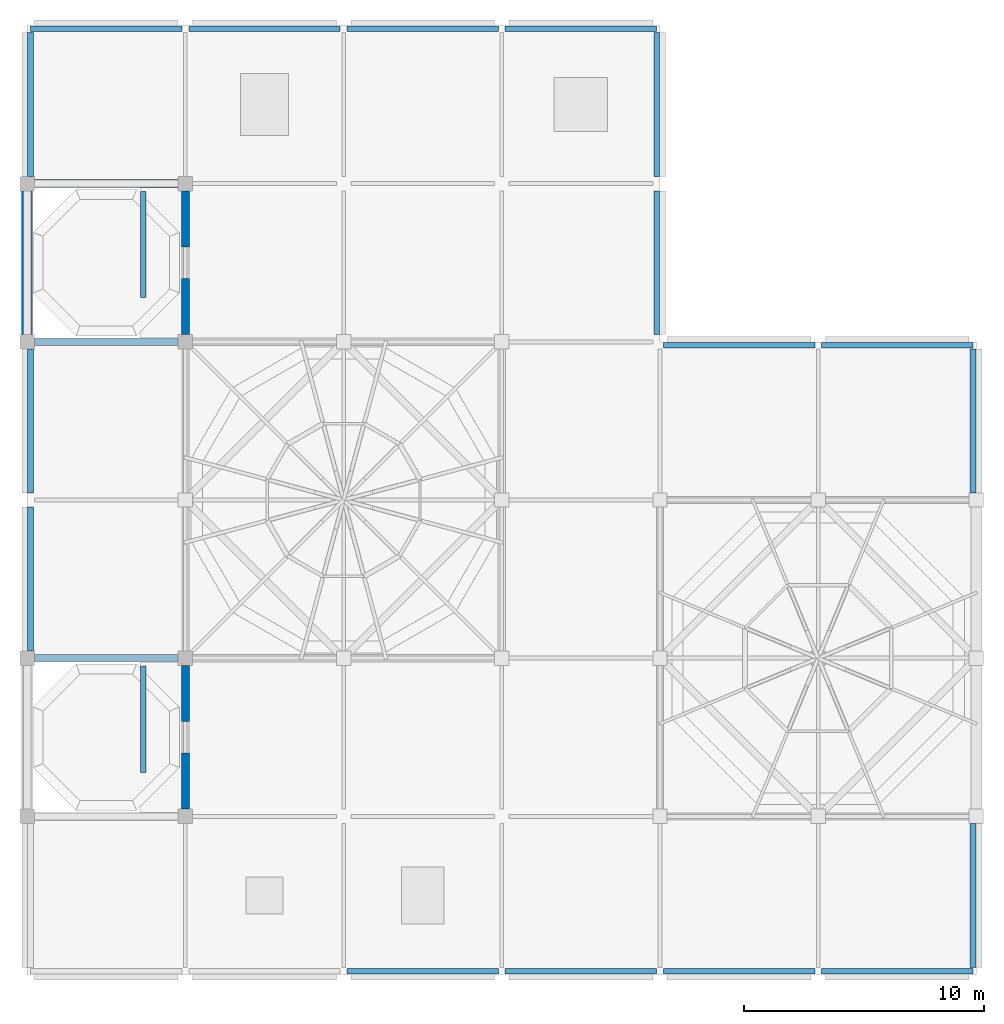
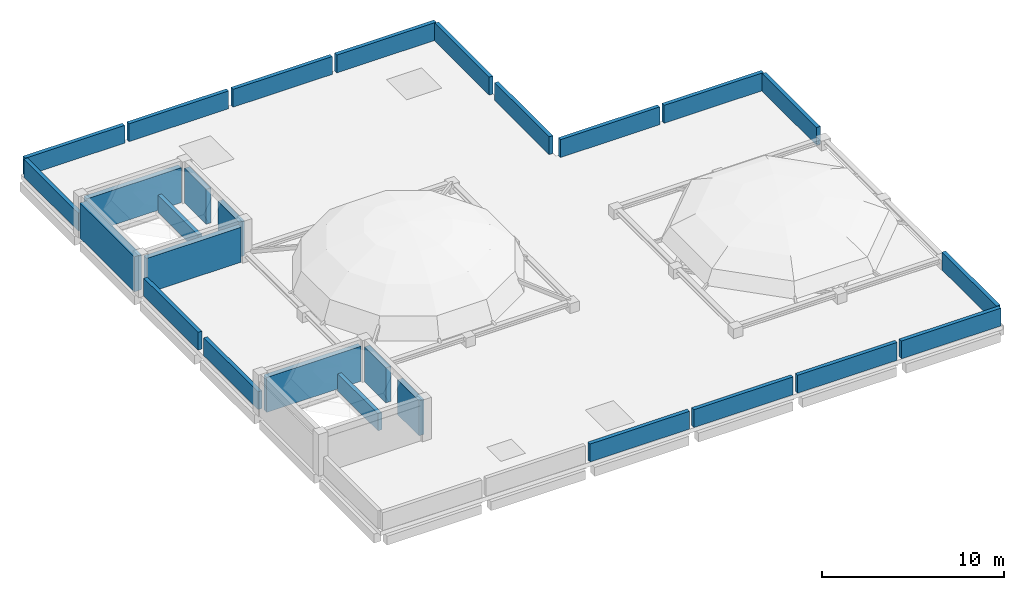
# One storey, part 4 of 5: 27 walls.
"""IFC4 building model written with IfcOpenShell, lengths in metres."""

from ifc_helpers import new_model, si_unit, direction, frame, frame_2d, origin, place, context, subcontext, project, spatial, rectangle, extrude, material, layer, layer_set, type_object, element, save


model = new_model("IFC4")

# Units and contexts
model_context = context("Model", 3, precision=1e-05, world=origin(), true_north=direction((0.0, 1.0)))
body_context = subcontext(model_context, "Body", "Model", "MODEL_VIEW")
ifc_project = project(units=[si_unit("LENGTHUNIT", "METRE"), si_unit("AREAUNIT", "SQUARE_METRE"), si_unit("VOLUMEUNIT", "CUBIC_METRE"), si_unit("PLANEANGLEUNIT", "RADIAN"), si_unit("MASSUNIT", "GRAM", prefix="KILO")], contexts=[model_context])

# Site, building, storey
site_placement = place(None, origin())
site = spatial("IfcSite", under=ifc_project, at=site_placement, CompositionType="ELEMENT")
building_placement = place(site_placement, origin())
building = spatial("IfcBuilding", under=site, at=building_placement, Name="Rusizi Kubbe Research Institute", CompositionType="ELEMENT")
storey_placement = place(building_placement, frame((0.0, 0.0, 73.199951171875)))
storey = spatial("IfcBuildingStorey", under=building, at=storey_placement, Name="ROOF", CompositionType="ELEMENT", Elevation=73.199951171875)

# Walls
ifc_material_1 = material(Name="Volcanic Basalt Ashlar Masonry", Category="masonry")
ifc_layer_1 = layer(ifc_material_1, 0.324951171875)
ifc_layer_set_1 = layer_set([ifc_layer_1], Name="Volcanic Basalt Ashlar Masonry")
wall_type_1 = type_object("IfcWallType", Name="EW-08", PredefinedType="SOLIDWALL", material=ifc_layer_set_1)
wall_1_placement = place(storey_placement, frame((0.300048828125, 13.199951171875, 0.0), z_axis=(0.0, 0.0, 1.0), x_axis=(1.0, 0.0, 0.0)))
element("IfcWall", 1, at=wall_1_placement, inside=storey, type_object=wall_type_1, Name="Roof Stair Headhouse Wall ST1 North", PredefinedType="SOLIDWALL", context=body_context, shape_type="SweptSolid", body=[
    extrude(rectangle(XDim=6.0, YDim=0.324951171875, at=frame_2d((3.0, 0.0))), origin(), (0.0, 0.0, 1.0), 2.35009765625),
])
wall_2_placement = place(storey_placement, frame((6.60009765625, 6.89990234375, 0.0), z_axis=(0.0, 0.0, 1.0), x_axis=(0.0, 1.0, 0.0)))
element("IfcWall", 2, at=wall_2_placement, inside=storey, type_object=wall_type_1, Name="Roof Stair Headhouse Pier ST1 East-South", PredefinedType="SOLIDWALL", context=body_context, shape_type="SweptSolid", body=[
    extrude(rectangle(XDim=2.35009765625, YDim=0.324951171875, at=frame_2d((1.175048828125, 0.0))), origin(), (0.0, 0.0, 1.0), 2.35009765625),
])
wall_3_placement = place(storey_placement, frame((6.60009765625, 10.550048828125, 0.0), z_axis=(0.0, 0.0, 1.0), x_axis=(0.0, 1.0, 0.0)))
element("IfcWall", 3, at=wall_3_placement, inside=storey, type_object=wall_type_1, Name="Roof Stair Headhouse Pier ST1 East-North", PredefinedType="SOLIDWALL", context=body_context, shape_type="SweptSolid", body=[
    extrude(rectangle(XDim=2.349853515625, YDim=0.324951171875, at=frame_2d((1.1748046875, 0.0))), origin(), (0.0, 0.0, 1.0), 2.35009765625),
])
for number, where, z_axis, x_axis, name in (
    (4, (0.300048828125, 26.39990234375, 0.0), (0.0, 0.0, 1.0), (1.0, 0.0, 0.0), "Roof Stair Headhouse Wall ST2 South"),
    (5, (0.300048828125, 33.0, 0.0), (0.0, 0.0, 1.0), (1.0, 0.0, 0.0), "Roof Stair Headhouse Wall ST2 North"),
):
    element("IfcWall", number, at=place(storey_placement, frame(where, z_axis=z_axis, x_axis=x_axis)), inside=storey, type_object=wall_type_1, Name=name, PredefinedType="SOLIDWALL", context=body_context, shape_type="SweptSolid", body=[
        extrude(rectangle(XDim=6.0, YDim=0.324951171875, at=frame_2d((3.0, 0.0))), origin(), (0.0, 0.0, 1.0), 2.35009765625),
    ])
wall_4_placement = place(storey_placement, frame((6.60009765625, 26.699951171875, 0.0), z_axis=(0.0, 0.0, 1.0), x_axis=(0.0, 1.0, 0.0)))
element("IfcWall", 6, at=wall_4_placement, inside=storey, type_object=wall_type_1, Name="Roof Stair Headhouse Pier ST2 East-South", PredefinedType="SOLIDWALL", context=body_context, shape_type="SweptSolid", body=[
    extrude(rectangle(XDim=2.35009765625, YDim=0.324951171875, at=frame_2d((1.175048828125, 0.0))), origin(), (0.0, 0.0, 1.0), 2.35009765625),
])
wall_5_placement = place(storey_placement, frame((6.60009765625, 30.35009765625, 0.0), z_axis=(0.0, 0.0, 1.0), x_axis=(0.0, 1.0, 0.0)))
element("IfcWall", 7, at=wall_5_placement, inside=storey, type_object=wall_type_1, Name="Roof Stair Headhouse Pier ST2 East-North", PredefinedType="SOLIDWALL", context=body_context, shape_type="SweptSolid", body=[
    extrude(rectangle(XDim=2.349853515625, YDim=0.324951171875, at=frame_2d((1.1748046875, 0.0))), origin(), (0.0, 0.0, 1.0), 2.35009765625),
])
ifc_material_2 = material(Name="Volcanic Basalt Ashlar Masonry", Category="masonry")
ifc_layer_2 = layer(ifc_material_2, 0.239990234375)
ifc_layer_set_2 = layer_set([ifc_layer_2], Name="Volcanic Basalt Ashlar Masonry")
wall_type_2 = type_object("IfcWallType", Name="PRP-01", PredefinedType="PARAPET", material=ifc_layer_set_2)
for number, where, z_axis, x_axis, name in (
    (8, (0.139892578125, 13.5, 0.0), (0.0, 0.0, 1.0), (0.0, 1.0, 0.0), "Main Crown Roof Parapet 03"),
    (9, (0.139892578125, 20.10009765625, 0.0), (0.0, 0.0, 1.0), (0.0, 1.0, 0.0), "Main Crown Roof Parapet 04"),
):
    element("IfcWall", number, at=place(storey_placement, frame(where, z_axis=z_axis, x_axis=x_axis)), inside=storey, type_object=wall_type_2, Name=name, PredefinedType="PARAPET", context=body_context, shape_type="SweptSolid", body=[
        extrude(rectangle(XDim=6.0, YDim=0.239990234375, at=frame_2d((3.0, 0.0))), origin(), (0.0, 0.0, 1.0), 1.199951171875),
    ])
wall_6_placement = place(storey_placement, frame((0.139892578125, 39.4599609375, 0.0), z_axis=(0.0, 0.0, 1.0), x_axis=(1.0, 0.0, 0.0)))
element("IfcWall", 10, at=wall_6_placement, inside=storey, type_object=wall_type_2, Name="Main Crown Roof Parapet 05", PredefinedType="PARAPET", context=body_context, shape_type="SweptSolid", body=[
    extrude(rectangle(XDim=6.320068359375, YDim=0.239990234375, at=frame_2d((3.16015625, 0.0))), origin(), (0.0, 0.0, 1.0), 1.199951171875),
])
wall_7_placement = place(storey_placement, frame((0.139892578125, 33.300048828125, 0.0), z_axis=(0.0, 0.0, 1.0), x_axis=(0.0, 1.0, 0.0)))
element("IfcWall", 11, at=wall_7_placement, inside=storey, type_object=wall_type_2, Name="Main Crown Roof Parapet 06", PredefinedType="PARAPET", context=body_context, shape_type="SweptSolid", body=[
    extrude(rectangle(XDim=6.0, YDim=0.239990234375, at=frame_2d((3.0, 0.0))), origin(), (0.0, 0.0, 1.0), 1.199951171875),
])
wall_8_placement = place(storey_placement, frame((6.739990234375, 39.4599609375, 0.0), z_axis=(0.0, 0.0, 1.0), x_axis=(1.0, 0.0, 0.0)))
element("IfcWall", 12, at=wall_8_placement, inside=storey, type_object=wall_type_2, Name="Main Crown Roof Parapet 08", PredefinedType="PARAPET", context=body_context, shape_type="SweptSolid", body=[
    extrude(rectangle(XDim=6.320068359375, YDim=0.239990234375, at=frame_2d((3.16015625, 0.0))), origin(), (0.0, 0.0, 1.0), 1.199951171875),
])
for number, where, z_axis, x_axis, name in (
    (13, (13.340087890625, 0.139892578125, 0.0), (0.0, 0.0, 1.0), (1.0, 0.0, 0.0), "Main Crown Roof Parapet 09"),
    (14, (13.340087890625, 39.4599609375, 0.0), (0.0, 0.0, 1.0), (1.0, 0.0, 0.0), "Main Crown Roof Parapet 10"),
):
    element("IfcWall", number, at=place(storey_placement, frame(where, z_axis=z_axis, x_axis=x_axis)), inside=storey, type_object=wall_type_2, Name=name, PredefinedType="PARAPET", context=body_context, shape_type="SweptSolid", body=[
        extrude(rectangle(XDim=6.31982421875, YDim=0.239990234375, at=frame_2d((3.159912109375, 0.0))), origin(), (0.0, 0.0, 1.0), 1.199951171875),
    ])
wall_9_placement = place(storey_placement, frame((19.93994140625, 0.139892578125, 0.0), z_axis=(0.0, 0.0, 1.0), x_axis=(1.0, 0.0, 0.0)))
element("IfcWall", 15, at=wall_9_placement, inside=storey, type_object=wall_type_2, Name="Main Crown Roof Parapet 11", PredefinedType="PARAPET", context=body_context, shape_type="SweptSolid", body=[
    extrude(rectangle(XDim=6.320068359375, YDim=0.239990234375, at=frame_2d((3.16015625, 0.0))), origin(), (0.0, 0.0, 1.0), 1.199951171875),
])
wall_10_placement = place(storey_placement, frame((26.260009765625, 26.699951171875, 0.0), z_axis=(0.0, 0.0, 1.0), x_axis=(0.0, 1.0, 0.0)))
element("IfcWall", 16, at=wall_10_placement, inside=storey, type_object=wall_type_2, Name="Main Crown Roof Parapet 12", PredefinedType="PARAPET", context=body_context, shape_type="SweptSolid", body=[
    extrude(rectangle(XDim=6.0, YDim=0.239990234375, at=frame_2d((3.0, 0.0))), origin(), (0.0, 0.0, 1.0), 1.199951171875),
])
wall_11_placement = place(storey_placement, frame((19.93994140625, 39.4599609375, 0.0), z_axis=(0.0, 0.0, 1.0), x_axis=(1.0, 0.0, 0.0)))
element("IfcWall", 17, at=wall_11_placement, inside=storey, type_object=wall_type_2, Name="Main Crown Roof Parapet 13", PredefinedType="PARAPET", context=body_context, shape_type="SweptSolid", body=[
    extrude(rectangle(XDim=6.320068359375, YDim=0.239990234375, at=frame_2d((3.16015625, 0.0))), origin(), (0.0, 0.0, 1.0), 1.199951171875),
])
wall_12_placement = place(storey_placement, frame((26.260009765625, 33.300048828125, 0.0), z_axis=(0.0, 0.0, 1.0), x_axis=(0.0, 1.0, 0.0)))
element("IfcWall", 18, at=wall_12_placement, inside=storey, type_object=wall_type_2, Name="Main Crown Roof Parapet 14", PredefinedType="PARAPET", context=body_context, shape_type="SweptSolid", body=[
    extrude(rectangle(XDim=6.0, YDim=0.239990234375, at=frame_2d((3.0, 0.0))), origin(), (0.0, 0.0, 1.0), 1.199951171875),
])
for number, where, z_axis, x_axis, name in (
    (19, (26.5400390625, 0.139892578125, 0.0), (0.0, 0.0, 1.0), (1.0, 0.0, 0.0), "Main Crown Roof Parapet 15"),
    (20, (26.5400390625, 26.260009765625, 0.0), (0.0, 0.0, 1.0), (1.0, 0.0, 0.0), "Main Crown Roof Parapet 16"),
    (21, (33.139892578125, 0.139892578125, 0.0), (0.0, 0.0, 1.0), (1.0, 0.0, 0.0), "Main Crown Roof Parapet 17"),
):
    element("IfcWall", number, at=place(storey_placement, frame(where, z_axis=z_axis, x_axis=x_axis)), inside=storey, type_object=wall_type_2, Name=name, PredefinedType="PARAPET", context=body_context, shape_type="SweptSolid", body=[
        extrude(rectangle(XDim=6.320068359375, YDim=0.239990234375, at=frame_2d((3.16015625, 0.0))), origin(), (0.0, 0.0, 1.0), 1.199951171875),
    ])
wall_13_placement = place(storey_placement, frame((39.4599609375, 0.300048828125, 0.0), z_axis=(0.0, 0.0, 1.0), x_axis=(0.0, 1.0, 0.0)))
element("IfcWall", 22, at=wall_13_placement, inside=storey, type_object=wall_type_2, Name="Main Crown Roof Parapet 18", PredefinedType="PARAPET", context=body_context, shape_type="SweptSolid", body=[
    extrude(rectangle(XDim=6.0, YDim=0.239990234375, at=frame_2d((3.0, 0.0))), origin(), (0.0, 0.0, 1.0), 1.199951171875),
])
wall_14_placement = place(storey_placement, frame((33.139892578125, 26.260009765625, 0.0), z_axis=(0.0, 0.0, 1.0), x_axis=(1.0, 0.0, 0.0)))
element("IfcWall", 23, at=wall_14_placement, inside=storey, type_object=wall_type_2, Name="Main Crown Roof Parapet 19", PredefinedType="PARAPET", context=body_context, shape_type="SweptSolid", body=[
    extrude(rectangle(XDim=6.320068359375, YDim=0.239990234375, at=frame_2d((3.16015625, 0.0))), origin(), (0.0, 0.0, 1.0), 1.199951171875),
])
wall_15_placement = place(storey_placement, frame((39.4599609375, 20.10009765625, 0.0), z_axis=(0.0, 0.0, 1.0), x_axis=(0.0, 1.0, 0.0)))
element("IfcWall", 24, at=wall_15_placement, inside=storey, type_object=wall_type_2, Name="Main Crown Roof Parapet 20", PredefinedType="PARAPET", context=body_context, shape_type="SweptSolid", body=[
    extrude(rectangle(XDim=6.0, YDim=0.239990234375, at=frame_2d((3.0, 0.0))), origin(), (0.0, 0.0, 1.0), 1.199951171875),
])
for number, where, z_axis, x_axis, name in (
    (25, (4.840087890625, 12.8798828125, 0.0), (0.0, 0.0, 1.0), (0.0, -1.0, 0.0), "Roof Stair Well Parapet ST1"),
    (26, (4.840087890625, 32.679931640625, 0.0), (0.0, 0.0, 1.0), (0.0, -1.0, 0.0), "Roof Stair Well Parapet ST2"),
):
    element("IfcWall", number, at=place(storey_placement, frame(where, z_axis=z_axis, x_axis=x_axis)), inside=storey, type_object=wall_type_2, Name=name, PredefinedType="PARAPET", context=body_context, shape_type="SweptSolid", body=[
        extrude(rectangle(XDim=4.43994140625, YDim=0.239990234375, at=frame_2d((2.219970703125, 0.0))), origin(), (0.0, 0.0, 1.0), 1.150146484375),
    ])
ifc_material_3 = material(Name="Concrete C40/50", Category="concrete")
ifc_layer_3 = layer(ifc_material_3, 0.4599609375)
ifc_layer_set_3 = layer_set([ifc_layer_3], Name="Concrete C40/50")
wall_type_3 = type_object("IfcWallType", Name="PW-02", PredefinedType="SOLIDWALL", material=ifc_layer_set_3)
wall_16_placement = place(storey_placement, frame((0.0, 26.699951171875, 0.0), z_axis=(0.0, 0.0, 1.0), x_axis=(0.0, 1.0, 0.0)))
element("IfcWall", 27, at=wall_16_placement, inside=storey, type_object=wall_type_3, Name="Roof Stair Headhouse Party Wall ST2 West", PredefinedType="SOLIDWALL", context=body_context, shape_type="SweptSolid", body=[
    extrude(rectangle(XDim=6.0, YDim=0.4599609375, at=frame_2d((3.0, 0.0))), origin(), (0.0, 0.0, 1.0), 2.35009765625),
])

save(model, "model.ifc")
